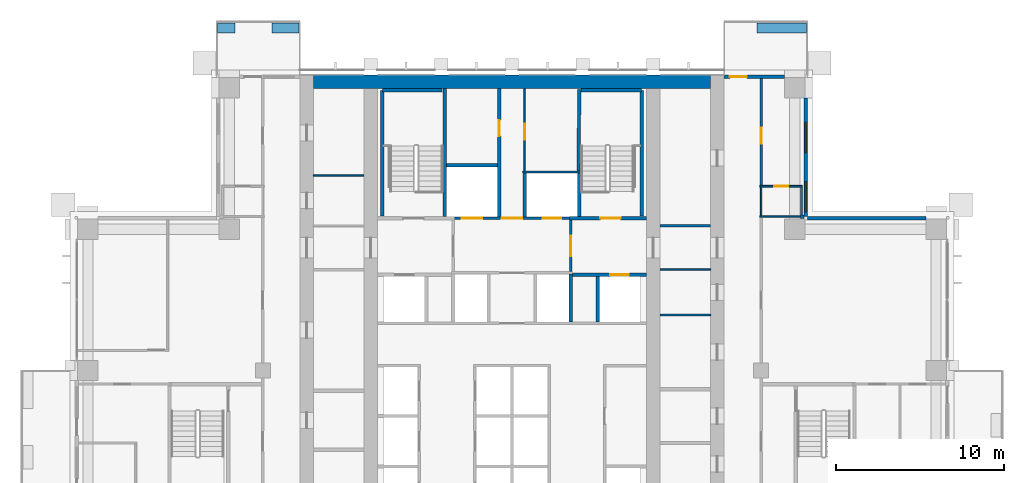
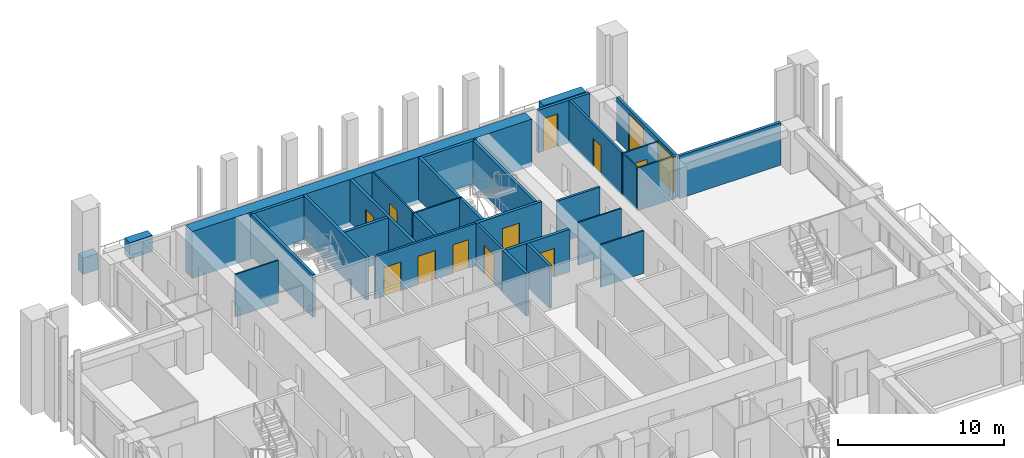
# One storey, part 13 of 19: 35 walls, 11 doors, 2 windows, 13 openings.
"""IFC4 building model written with IfcOpenShell, lengths in metres."""

from ifc_helpers import new_model, si_unit, direction, frame, frame_2d, origin, place, context, subcontext, project, spatial, rectangle, extrude, material, layer, layer_set, type_object, element, fill, save


model = new_model("IFC4")

# Units and contexts
model_context = context("Model", 3, precision=1e-05, world=origin(), true_north=direction((0.0, 1.0)))
body_context = subcontext(model_context, "Body", "Model", "MODEL_VIEW")
ifc_project = project(units=[si_unit("LENGTHUNIT", "METRE"), si_unit("AREAUNIT", "SQUARE_METRE"), si_unit("VOLUMEUNIT", "CUBIC_METRE"), si_unit("PLANEANGLEUNIT", "RADIAN"), si_unit("MASSUNIT", "GRAM", prefix="KILO")], contexts=[model_context])

# Site, building, storey
site_placement = place(None, origin())
site = spatial("IfcSite", under=ifc_project, at=site_placement, CompositionType="ELEMENT")
building_placement = place(site_placement, origin())
building = spatial("IfcBuilding", under=site, at=building_placement, Name="Vermilion Ogive Tower", CompositionType="ELEMENT")
storey_placement = place(building_placement, frame((0.0, 0.0, 104.550048828125)))
storey = spatial("IfcBuildingStorey", under=building, at=storey_placement, Name="L26", CompositionType="ELEMENT", Elevation=104.550048828125)

# Walls
ifc_material_1 = material(Name="Concrete B80", Category="concrete")
ifc_layer_1 = layer(ifc_material_1, 0.800048828125)
ifc_layer_set_1 = layer_set([ifc_layer_1], Name="Core wall 800 B80")
wall_type_1 = type_object("IfcWallType", Name="Core wall 800 B80", PredefinedType="SHEAR", material=ifc_layer_set_1)
wall_1_placement = place(storey_placement, frame((-11.800048828125, 21.35009765625, -0.320068359375), z_axis=(0.0, 0.0, 1.0), x_axis=(1.0, 0.0, 0.0)))
element("IfcWall", 1, at=wall_1_placement, inside=storey, type_object=wall_type_1, Name="L26-CORE-N", PredefinedType="SHEAR", context=body_context, shape_type="SweptSolid", body=[
    extrude(rectangle(XDim=23.60009765625, YDim=0.800048828125, at=frame_2d((11.800048828125, 0.0))), origin(), (0.0, 0.0, 1.0), 3.449951171875),
])
ifc_material_2 = material(Name="Gypsum board partition on steel studs", Category="steel")
ifc_layer_2 = layer(ifc_material_2, 0.10009765625)
ifc_layer_set_2 = layer_set([ifc_layer_2], Name="Partition 100 bath")
wall_type_2 = type_object("IfcWallType", Name="Partition 100 bath", PredefinedType="PARTITIONING", material=ifc_layer_set_2)
wall_2_placement = place(storey_placement, frame((14.72509765625, 13.35009765625, 0.0), z_axis=(0.0, 0.0, 1.0), x_axis=(1.0, 0.0, 0.0)))
element("IfcWall", 2, at=wall_2_placement, inside=storey, type_object=wall_type_2, Name="L26-W-W031", PredefinedType="PARTITIONING", context=body_context, shape_type="SweptSolid", body=[
    extrude(rectangle(XDim=2.52490234375, YDim=0.10009765625, at=frame_2d((1.262451171875, 0.0))), origin(), (0.0, 0.0, 1.0), 3.1298828125),
])

# Wall, opening, door
wall_3_placement = place(storey_placement, frame((14.72509765625, 15.14990234375, 0.0), z_axis=(0.0, 0.0, 1.0), x_axis=(1.0, 0.0, 0.0)))
wall_3 = element("IfcWall", 3, at=wall_3_placement, inside=storey, type_object=wall_type_2, Name="L26-W-W034", PredefinedType="PARTITIONING", context=body_context, shape_type="SweptSolid", body=[
    extrude(rectangle(XDim=2.52490234375, YDim=0.10009765625, at=frame_2d((1.262451171875, 0.0))), origin(), (0.0, 0.0, 1.0), 3.1298828125),
])
opening_1_placement = place(wall_3_placement, frame((0.849853515625, 0.0, 0.0)))
opening_1 = element("IfcOpeningElement", 4, at=opening_1_placement, cuts=wall_3, Name="Opening D2G4020", PredefinedType="OPENING", context=body_context, shape_type="SweptSolid", body=[
    extrude(rectangle(XDim=0.85009765625, YDim=2.10009765625, at=frame_2d((0.425048828125, 1.050048828125))), frame((0.0, 0.06005859375, 0.0), z_axis=(0.0, -1.0, 0.0), x_axis=(1.0, 0.0, 0.0)), (0.0, 0.0, 1.0), 0.1201171875),
])
ifc_material_3 = material(Name="Timber door leaf", Category="wood")
door_type_1 = type_object("IfcDoorType", Name="Bath door 850 x 2100 FD30", OperationType="SINGLE_SWING_LEFT", PredefinedType="DOOR", material=ifc_material_3)
door_1_placement = place(opening_1_placement, origin())
door_1 = element("IfcDoor", 5, at=door_1_placement, inside=storey, type_object=door_type_1, Name="L26-D-D020", OperationType="SINGLE_SWING_RIGHT", OverallHeight=2.10009765625, OverallWidth=0.85009765625, PredefinedType="DOOR", context=body_context, shape_type="SweptSolid", body=[
    extrude(rectangle(XDim=0.85009765625, YDim=2.10009765625, at=frame_2d((0.425048828125, 1.050048828125))), frame((0.0, 0.02490234375, 0.0), z_axis=(0.0, -1.0, 0.0), x_axis=(1.0, 0.0, 0.0)), (0.0, 0.0, 1.0), 0.050048828125),
])
fill(opening_1, door_1)

# Walls
wall_4_placement = place(storey_placement, frame((14.800048828125, 13.39990234375, 0.0), z_axis=(0.0, 0.0, 1.0), x_axis=(0.0, 1.0, 0.0)))
element("IfcWall", 6, at=wall_4_placement, inside=storey, type_object=wall_type_2, Name="L26-W-W056", PredefinedType="PARTITIONING", context=body_context, shape_type="SweptSolid", body=[
    extrude(rectangle(XDim=1.7001953125, YDim=0.10009765625, at=frame_2d((0.85009765625, 0.0))), origin(), (0.0, 0.0, 1.0), 3.1298828125),
])
wall_5_placement = place(storey_placement, frame((17.199951171875, 13.449951171875, 0.0), z_axis=(0.0, 0.0, 1.0), x_axis=(0.0, 1.0, 0.0)))
element("IfcWall", 7, at=wall_5_placement, inside=storey, type_object=wall_type_2, Name="L26-W-W060", PredefinedType="PARTITIONING", context=body_context, shape_type="SweptSolid", body=[
    extrude(rectangle(XDim=1.650146484375, YDim=0.10009765625, at=frame_2d((0.8251953125, 0.0))), origin(), (0.0, 0.0, 1.0), 3.1298828125),
])
wall_6_placement = place(storey_placement, frame((0.64990234375, 16.0, 0.0), z_axis=(0.0, 0.0, 1.0), x_axis=(1.0, 0.0, 0.0)))
element("IfcWall", 8, at=wall_6_placement, inside=storey, type_object=wall_type_2, Name="L26-CK-W-W019", PredefinedType="PARTITIONING", context=body_context, shape_type="SweptSolid", body=[
    extrude(rectangle(XDim=3.4501953125, YDim=0.10009765625, at=frame_2d((1.72509765625, 0.0))), origin(), (0.0, 0.0, 1.0), 3.1298828125),
])

# Wall, opening, door
wall_7_placement = place(storey_placement, frame((0.75, 16.050048828125, 0.0), z_axis=(0.0, 0.0, 1.0), x_axis=(0.0, 1.0, 0.0)))
wall_7 = element("IfcWall", 9, at=wall_7_placement, inside=storey, type_object=wall_type_2, Name="L26-CK-W-W031", PredefinedType="PARTITIONING", context=body_context, shape_type="SweptSolid", body=[
    extrude(rectangle(XDim=4.89892578125, YDim=0.10009765625, at=frame_2d((2.449462890625, 0.0))), origin(), (0.0, 0.0, 1.0), 3.1298828125),
])
opening_2_placement = place(wall_7_placement, frame((1.875, 0.0, 0.0)))
opening_2 = element("IfcOpeningElement", 10, at=opening_2_placement, cuts=wall_7, Name="Opening DAA215", PredefinedType="OPENING", context=body_context, shape_type="SweptSolid", body=[
    extrude(rectangle(XDim=0.949951171875, YDim=2.10009765625, at=frame_2d((0.47509765625, 1.050048828125))), frame((0.0, 0.06005859375, 0.0), z_axis=(0.0, -1.0, 0.0), x_axis=(1.0, 0.0, 0.0)), (0.0, 0.0, 1.0), 0.1201171875),
])
ifc_material_4 = material(Name="Timber door leaf", Category="wood")
door_type_2 = type_object("IfcDoorType", Name="Service door 950 x 2100 FD60", OperationType="SINGLE_SWING_LEFT", PredefinedType="DOOR", material=ifc_material_4)
door_2_placement = place(opening_2_placement, origin())
door_2 = element("IfcDoor", 11, at=door_2_placement, inside=storey, type_object=door_type_2, Name="L26-CK-D-D020", OperationType="SINGLE_SWING_LEFT", OverallHeight=2.10009765625, OverallWidth=0.949951171875, PredefinedType="DOOR", context=body_context, shape_type="SweptSolid", body=[
    extrude(rectangle(XDim=0.949951171875, YDim=2.10009765625, at=frame_2d((0.47509765625, 1.050048828125))), frame((0.0, 0.02490234375, 0.0), z_axis=(0.0, -1.0, 0.0), x_axis=(1.0, 0.0, 0.0)), (0.0, 0.0, 1.0), 0.050048828125),
])
fill(opening_2, door_2)

# Walls
for number, where, z_axis, x_axis, name in (
    (12, (-11.799072265625, 15.800048828125, 0.0), (0.0, 0.0, 1.0), (1.0, 0.0, 0.0), "L26-CKW-W-W005"),
    (13, (8.801025390625, 7.5, 0.0), (0.0, 0.0, 1.0), (1.0, 0.0, 0.0), "L26-CKE-W-W004"),
    (14, (8.801025390625, 10.199951171875, 0.0), (0.0, 0.0, 1.0), (1.0, 0.0, 0.0), "L26-CKE-W-W005"),
):
    element("IfcWall", number, at=place(storey_placement, frame(where, z_axis=z_axis, x_axis=x_axis)), inside=storey, type_object=wall_type_2, Name=name, PredefinedType="PARTITIONING", context=body_context, shape_type="SweptSolid", body=[
        extrude(rectangle(XDim=2.998046875, YDim=0.10009765625, at=frame_2d((1.4990234375, 0.0))), origin(), (0.0, 0.0, 1.0), 3.1298828125),
    ])

# Wall, opening, door
ifc_material_5 = material(Name="Gypsum board partition on steel studs", Category="steel")
ifc_layer_3 = layer(ifc_material_5, 0.14990234375)
ifc_layer_set_3 = layer_set([ifc_layer_3], Name="Partition 150 corridor")
wall_type_3 = type_object("IfcWallType", Name="Partition 150 corridor", PredefinedType="PARTITIONING", material=ifc_layer_set_3)
wall_8_placement = place(storey_placement, frame((14.800048828125, 15.199951171875, 0.0), z_axis=(0.0, 0.0, 1.0), x_axis=(0.0, 1.0, 0.0)))
wall_8 = element("IfcWall", 15, at=wall_8_placement, inside=storey, type_object=wall_type_3, Name="L26-W-W057", PredefinedType="PARTITIONING", context=body_context, shape_type="SweptSolid", body=[
    extrude(rectangle(XDim=6.35009765625, YDim=0.14990234375, at=frame_2d((3.175048828125, 0.0))), origin(), (0.0, 0.0, 1.0), 3.1298828125),
])
opening_3_placement = place(wall_8_placement, frame((2.47509765625, 0.0, 0.0)))
opening_3 = element("IfcOpeningElement", 16, at=opening_3_placement, cuts=wall_8, Name="Opening D2G4019", PredefinedType="OPENING", context=body_context, shape_type="SweptSolid", body=[
    extrude(rectangle(XDim=0.949951171875, YDim=2.10009765625, at=frame_2d((0.47509765625, 1.050048828125))), frame((0.0, 0.0849609375, 0.0), z_axis=(0.0, -1.0, 0.0), x_axis=(1.0, 0.0, 0.0)), (0.0, 0.0, 1.0), 0.169921875),
])
ifc_material_6 = material(Name="Timber door leaf", Category="wood")
door_type_3 = type_object("IfcDoorType", Name="Unit door 950 x 2100 FD30S", OperationType="SINGLE_SWING_LEFT", PredefinedType="DOOR", material=ifc_material_6)
door_3_placement = place(opening_3_placement, origin())
door_3 = element("IfcDoor", 17, at=door_3_placement, inside=storey, type_object=door_type_3, Name="L26-D-D019", OperationType="SINGLE_SWING_LEFT", OverallHeight=2.10009765625, OverallWidth=0.949951171875, PredefinedType="DOOR", context=body_context, shape_type="SweptSolid", body=[
    extrude(rectangle(XDim=0.949951171875, YDim=2.10009765625, at=frame_2d((0.47509765625, 1.050048828125))), frame((0.0, 0.02490234375, 0.0), z_axis=(0.0, -1.0, 0.0), x_axis=(1.0, 0.0, 0.0)), (0.0, 0.0, 1.0), 0.050048828125),
])
fill(opening_3, door_3)

# Wall, openings, doors
wall_9_placement = place(storey_placement, frame((-3.574951171875, 13.25, 0.0), z_axis=(0.0, 0.0, 1.0), x_axis=(1.0, 0.0, 0.0)))
wall_9 = element("IfcWall", 18, at=wall_9_placement, inside=storey, type_object=wall_type_3, Name="L26-CK-W-W017", PredefinedType="PARTITIONING", context=body_context, shape_type="SweptSolid", body=[
    extrude(rectangle(XDim=7.14990234375, YDim=0.14990234375, at=frame_2d((3.574951171875, 0.0))), origin(), (0.0, 0.0, 1.0), 3.1298828125),
])
opening_4_placement = place(wall_9_placement, frame((0.599853515625, 0.0, 0.0)))
opening_4 = element("IfcOpeningElement", 19, at=opening_4_placement, cuts=wall_9, Name="Opening DAA229", PredefinedType="OPENING", context=body_context, shape_type="SweptSolid", body=[
    extrude(rectangle(XDim=1.199951171875, YDim=2.10009765625, at=frame_2d((0.60009765625, 1.050048828125))), frame((0.0, 0.0849609375, 0.0), z_axis=(0.0, -1.0, 0.0), x_axis=(1.0, 0.0, 0.0)), (0.0, 0.0, 1.0), 0.169921875),
])
opening_5_placement = place(wall_9_placement, frame((5.39990234375, 0.0, 0.0)))
opening_5 = element("IfcOpeningElement", 20, at=opening_5_placement, cuts=wall_9, Name="Opening DAA220", PredefinedType="OPENING", context=body_context, shape_type="SweptSolid", body=[
    extrude(rectangle(XDim=1.10009765625, YDim=2.10009765625, at=frame_2d((0.550048828125, 1.050048828125))), frame((0.0, 0.0849609375, 0.0), z_axis=(0.0, -1.0, 0.0), x_axis=(1.0, 0.0, 0.0)), (0.0, 0.0, 1.0), 0.169921875),
])
opening_6_placement = place(wall_9_placement, frame((2.974853515625, 0.0, 0.0)))
opening_6 = element("IfcOpeningElement", 21, at=opening_6_placement, cuts=wall_9, Name="Opening DAA212", PredefinedType="OPENING", context=body_context, shape_type="SweptSolid", body=[
    extrude(rectangle(XDim=1.199951171875, YDim=2.10009765625, at=frame_2d((0.60009765625, 1.050048828125))), frame((0.0, 0.0849609375, 0.0), z_axis=(0.0, -1.0, 0.0), x_axis=(1.0, 0.0, 0.0)), (0.0, 0.0, 1.0), 0.169921875),
])
ifc_material_7 = material(Name="Stainless steel", Category="steel")
door_type_4 = type_object("IfcDoorType", Name="Lift landing door 1100 x 2100", OperationType="SLIDING_TO_LEFT", PredefinedType="DOOR", material=ifc_material_7)
door_4_placement = place(opening_5_placement, origin())
door_4 = element("IfcDoor", 22, at=door_4_placement, inside=storey, type_object=door_type_4, Name="L26-CK-D-D017", OperationType="SLIDING_TO_LEFT", OverallHeight=2.10009765625, OverallWidth=1.10009765625, PredefinedType="DOOR", context=body_context, shape_type="SweptSolid", body=[
    extrude(rectangle(XDim=1.10009765625, YDim=2.10009765625, at=frame_2d((0.550048828125, 1.050048828125))), frame((0.0, 0.02490234375, 0.0), z_axis=(0.0, -1.0, 0.0), x_axis=(1.0, 0.0, 0.0)), (0.0, 0.0, 1.0), 0.050048828125),
])
fill(opening_5, door_4)
ifc_material_8 = material(Name="Stainless steel", Category="steel")
door_type_5 = type_object("IfcDoorType", Name="Lift landing door 1200 x 2100", OperationType="SLIDING_TO_LEFT", PredefinedType="DOOR", material=ifc_material_8)
door_5_placement = place(opening_4_placement, origin())
door_5 = element("IfcDoor", 23, at=door_5_placement, inside=storey, type_object=door_type_5, Name="L26-CK-D-D016", OperationType="SLIDING_TO_RIGHT", OverallHeight=2.10009765625, OverallWidth=1.199951171875, PredefinedType="DOOR", context=body_context, shape_type="SweptSolid", body=[
    extrude(rectangle(XDim=1.199951171875, YDim=2.10009765625, at=frame_2d((0.60009765625, 1.050048828125))), frame((0.0, 0.02490234375, 0.0), z_axis=(0.0, -1.0, 0.0), x_axis=(1.0, 0.0, 0.0)), (0.0, 0.0, 1.0), 0.050048828125),
])
fill(opening_4, door_5)
ifc_material_9 = material(Name="Timber door leaf", Category="wood")
door_type_6 = type_object("IfcDoorType", Name="Service door 1200 x 2100 FD60", OperationType="SINGLE_SWING_LEFT", PredefinedType="DOOR", material=ifc_material_9)
door_6_placement = place(opening_6_placement, origin())
door_6 = element("IfcDoor", 24, at=door_6_placement, inside=storey, type_object=door_type_6, Name="L26-CK-D-D018", OperationType="SINGLE_SWING_RIGHT", OverallHeight=2.10009765625, OverallWidth=1.199951171875, PredefinedType="DOOR", context=body_context, shape_type="SweptSolid", body=[
    extrude(rectangle(XDim=1.199951171875, YDim=2.10009765625, at=frame_2d((0.60009765625, 1.050048828125))), frame((0.0, 0.02490234375, 0.0), z_axis=(0.0, -1.0, 0.0), x_axis=(1.0, 0.0, 0.0)), (0.0, 0.0, 1.0), 0.050048828125),
])
fill(opening_6, door_6)

# Wall, opening, door
wall_10_placement = place(storey_placement, frame((3.5, 10.074951171875, 0.0), z_axis=(0.0, 0.0, 1.0), x_axis=(0.0, 1.0, 0.0)))
wall_10 = element("IfcWall", 25, at=wall_10_placement, inside=storey, type_object=wall_type_3, Name="L26-CK-W-W035", PredefinedType="PARTITIONING", context=body_context, shape_type="SweptSolid", body=[
    extrude(rectangle(XDim=3.074951171875, YDim=0.14990234375, at=frame_2d((1.53759765625, 0.0))), origin(), (0.0, 0.0, 1.0), 3.1298828125),
])
opening_7_placement = place(wall_10_placement, frame((0.925048828125, 0.0, 0.0)))
opening_7 = element("IfcOpeningElement", 26, at=opening_7_placement, cuts=wall_10, Name="Opening DAA209", PredefinedType="OPENING", context=body_context, shape_type="SweptSolid", body=[
    extrude(rectangle(XDim=1.199951171875, YDim=2.10009765625, at=frame_2d((0.60009765625, 1.050048828125))), frame((0.0, 0.0849609375, 0.0), z_axis=(0.0, -1.0, 0.0), x_axis=(1.0, 0.0, 0.0)), (0.0, 0.0, 1.0), 0.169921875),
])
ifc_material_10 = material(Name="Timber door leaf", Category="wood")
door_type_7 = type_object("IfcDoorType", Name="Lobby door 1200 x 2100 FD60S", OperationType="SINGLE_SWING_LEFT", PredefinedType="DOOR", material=ifc_material_10)
door_7_placement = place(opening_7_placement, origin())
door_7 = element("IfcDoor", 27, at=door_7_placement, inside=storey, type_object=door_type_7, Name="L26-CK-D-D022", OperationType="SINGLE_SWING_LEFT", OverallHeight=2.10009765625, OverallWidth=1.199951171875, PredefinedType="DOOR", context=body_context, shape_type="SweptSolid", body=[
    extrude(rectangle(XDim=1.199951171875, YDim=2.10009765625, at=frame_2d((0.60009765625, 1.050048828125))), frame((0.0, 0.02490234375, 0.0), z_axis=(0.0, -1.0, 0.0), x_axis=(1.0, 0.0, 0.0)), (0.0, 0.0, 1.0), 0.050048828125),
])
fill(opening_7, door_7)

# Walls
wall_11_placement = place(storey_placement, frame((8.801025390625, 12.800048828125, 0.0), z_axis=(0.0, 0.0, 1.0), x_axis=(1.0, 0.0, 0.0)))
element("IfcWall", 28, at=wall_11_placement, inside=storey, type_object=wall_type_3, Name="L26-CKE-W-W006", PredefinedType="PARTITIONING", context=body_context, shape_type="SweptSolid", body=[
    extrude(rectangle(XDim=2.998046875, YDim=0.14990234375, at=frame_2d((1.4990234375, 0.0))), origin(), (0.0, 0.0, 1.0), 3.1298828125),
])
ifc_material_11 = material(Name="Gypsum board partition on steel studs", Category="steel")
ifc_layer_4 = layer(ifc_material_11, 0.199951171875)
ifc_layer_set_4 = layer_set([ifc_layer_4], Name="Partition 200 party")
wall_type_4 = type_object("IfcWallType", Name="Partition 200 party", PredefinedType="PARTITIONING", material=ifc_layer_set_4)
wall_12_placement = place(storey_placement, frame((17.14990234375, 13.35009765625, 0.0), z_axis=(0.0, 0.0, 1.0), x_axis=(1.0, 0.0, 0.0)))
element("IfcWall", 29, at=wall_12_placement, inside=storey, type_object=wall_type_4, Name="L26-W-W032", PredefinedType="PARTITIONING", context=body_context, shape_type="SweptSolid", body=[
    extrude(rectangle(XDim=0.2001953125, YDim=0.199951171875, at=frame_2d((0.10009765625, 0.0))), origin(), (0.0, 0.0, 1.0), 3.1298828125),
])

# Wall, opening, door
wall_13_placement = place(storey_placement, frame((3.60009765625, 9.89990234375, 0.0), z_axis=(0.0, 0.0, 1.0), x_axis=(1.0, 0.0, 0.0)))
wall_13 = element("IfcWall", 30, at=wall_13_placement, inside=storey, type_object=wall_type_4, Name="L26-CK-W-W014", PredefinedType="PARTITIONING", context=body_context, shape_type="SweptSolid", body=[
    extrude(rectangle(XDim=4.39892578125, YDim=0.199951171875, at=frame_2d((2.199462890625, 0.0))), origin(), (0.0, 0.0, 1.0), 3.1298828125),
])
opening_8_placement = place(wall_13_placement, frame((2.25, 0.0, 0.0)))
opening_8 = element("IfcOpeningElement", 31, at=opening_8_placement, cuts=wall_13, Name="Opening DAA219", PredefinedType="OPENING", context=body_context, shape_type="SweptSolid", body=[
    extrude(rectangle(XDim=1.10009765625, YDim=2.10009765625, at=frame_2d((0.550048828125, 1.050048828125))), frame((0.0, 0.10986328125, 0.0), z_axis=(0.0, -1.0, 0.0), x_axis=(1.0, 0.0, 0.0)), (0.0, 0.0, 1.0), 0.219970703125),
])
door_8_placement = place(opening_8_placement, origin())
door_8 = element("IfcDoor", 32, at=door_8_placement, inside=storey, type_object=door_type_4, Name="L26-CK-D-D013", OperationType="SLIDING_TO_LEFT", OverallHeight=2.10009765625, OverallWidth=1.10009765625, PredefinedType="DOOR", context=body_context, shape_type="SweptSolid", body=[
    extrude(rectangle(XDim=1.10009765625, YDim=2.10009765625, at=frame_2d((0.550048828125, 1.050048828125))), frame((0.0, 0.02490234375, 0.0), z_axis=(0.0, -1.0, 0.0), x_axis=(1.0, 0.0, 0.0)), (0.0, 0.0, 1.0), 0.050048828125),
])
fill(opening_8, door_8)

# Wall
wall_14_placement = place(storey_placement, frame((-3.89990234375, 16.39990234375, 0.0), z_axis=(0.0, 0.0, 1.0), x_axis=(1.0, 0.0, 0.0)))
element("IfcWall", 33, at=wall_14_placement, inside=storey, type_object=wall_type_4, Name="L26-CK-W-W020", PredefinedType="PARTITIONING", context=body_context, shape_type="SweptSolid", body=[
    extrude(rectangle(XDim=3.0498046875, YDim=0.199951171875, at=frame_2d((1.52490234375, 0.0))), origin(), (0.0, 0.0, 1.0), 3.1298828125),
])

# Wall, opening, door
wall_15_placement = place(storey_placement, frame((-0.75, 13.324951171875, 0.0), z_axis=(0.0, 0.0, 1.0), x_axis=(0.0, 1.0, 0.0)))
wall_15 = element("IfcWall", 34, at=wall_15_placement, inside=storey, type_object=wall_type_4, Name="L26-CK-W-W028", PredefinedType="PARTITIONING", context=body_context, shape_type="SweptSolid", body=[
    extrude(rectangle(XDim=7.6240234375, YDim=0.199951171875, at=frame_2d((3.81201171875, 0.0))), origin(), (0.0, 0.0, 1.0), 3.1298828125),
])
opening_9_placement = place(wall_15_placement, frame((4.800048828125, 0.0, 0.0)))
opening_9 = element("IfcOpeningElement", 35, at=opening_9_placement, cuts=wall_15, Name="Opening DAA214", PredefinedType="OPENING", context=body_context, shape_type="SweptSolid", body=[
    extrude(rectangle(XDim=0.949951171875, YDim=2.10009765625, at=frame_2d((0.47509765625, 1.050048828125))), frame((0.0, 0.10986328125, 0.0), z_axis=(0.0, -1.0, 0.0), x_axis=(1.0, 0.0, 0.0)), (0.0, 0.0, 1.0), 0.219970703125),
])
door_9_placement = place(opening_9_placement, origin())
door_9 = element("IfcDoor", 36, at=door_9_placement, inside=storey, type_object=door_type_2, Name="L26-CK-D-D019", OperationType="SINGLE_SWING_RIGHT", OverallHeight=2.10009765625, OverallWidth=0.949951171875, PredefinedType="DOOR", context=body_context, shape_type="SweptSolid", body=[
    extrude(rectangle(XDim=0.949951171875, YDim=2.10009765625, at=frame_2d((0.47509765625, 1.050048828125))), frame((0.0, 0.02490234375, 0.0), z_axis=(0.0, -1.0, 0.0), x_axis=(1.0, 0.0, 0.0)), (0.0, 0.0, 1.0), 0.050048828125),
])
fill(opening_9, door_9)

# Walls
wall_16_placement = place(storey_placement, frame((0.75, 13.324951171875, 0.0), z_axis=(0.0, 0.0, 1.0), x_axis=(0.0, 1.0, 0.0)))
element("IfcWall", 37, at=wall_16_placement, inside=storey, type_object=wall_type_4, Name="L26-CK-W-W030", PredefinedType="PARTITIONING", context=body_context, shape_type="SweptSolid", body=[
    extrude(rectangle(XDim=2.625, YDim=0.199951171875, at=frame_2d((1.3125, 0.0))), origin(), (0.0, 0.0, 1.0), 3.1298828125),
])
wall_17_placement = place(storey_placement, frame((3.5, 7.074951171875, 0.0), z_axis=(0.0, 0.0, 1.0), x_axis=(0.0, 1.0, 0.0)))
element("IfcWall", 38, at=wall_17_placement, inside=storey, type_object=wall_type_4, Name="L26-CK-W-W034", PredefinedType="PARTITIONING", context=body_context, shape_type="SweptSolid", body=[
    extrude(rectangle(XDim=2.85009765625, YDim=0.199951171875, at=frame_2d((1.425048828125, 0.0))), origin(), (0.0, 0.0, 1.0), 3.1298828125),
])
wall_18_placement = place(storey_placement, frame((5.10009765625, 7.074951171875, 0.0), z_axis=(0.0, 0.0, 1.0), x_axis=(0.0, 1.0, 0.0)))
element("IfcWall", 39, at=wall_18_placement, inside=storey, type_object=wall_type_4, Name="L26-CK-W-W038", PredefinedType="PARTITIONING", context=body_context, shape_type="SweptSolid", body=[
    extrude(rectangle(XDim=2.72509765625, YDim=0.199951171875, at=frame_2d((1.362548828125, 0.0))), origin(), (0.0, 0.0, 1.0), 3.1298828125),
])

# Wall, opening, door
ifc_material_12 = material(Name="Concrete B60", Category="concrete")
ifc_layer_5 = layer(ifc_material_12, 0.199951171875)
ifc_layer_set_5 = layer_set([ifc_layer_5], Name="Stair shaft wall 200 Concrete B60")
wall_type_5 = type_object("IfcWallType", Name="Stair shaft wall 200 Concrete B60", PredefinedType="SOLIDWALL", material=ifc_layer_set_5)
wall_19_placement = place(storey_placement, frame((3.425048828125, 13.25, 0.0), z_axis=(0.0, 0.0, 1.0), x_axis=(1.0, 0.0, 0.0)))
wall_19 = element("IfcWall", 40, at=wall_19_placement, inside=storey, type_object=wall_type_5, Name="L26-CK-W-W018", PredefinedType="SOLIDWALL", context=body_context, shape_type="SweptSolid", body=[
    extrude(rectangle(XDim=4.573974609375, YDim=0.199951171875, at=frame_2d((2.287109375, 0.0))), origin(), (0.0, 0.0, 1.0), 3.1298828125),
])
opening_10_placement = place(wall_19_placement, frame((1.824951171875, 0.0, 0.0)))
opening_10 = element("IfcOpeningElement", 41, at=opening_10_placement, cuts=wall_19, Name="Opening DAA217", PredefinedType="OPENING", context=body_context, shape_type="SweptSolid", body=[
    extrude(rectangle(XDim=1.199951171875, YDim=2.10009765625, at=frame_2d((0.60009765625, 1.050048828125))), frame((0.0, 0.10986328125, 0.0), z_axis=(0.0, -1.0, 0.0), x_axis=(1.0, 0.0, 0.0)), (0.0, 0.0, 1.0), 0.219970703125),
])
ifc_material_13 = material(Name="Timber door leaf", Category="wood")
door_type_8 = type_object("IfcDoorType", Name="Stair door 1200 x 2100 FD60S", OperationType="SINGLE_SWING_LEFT", PredefinedType="DOOR", material=ifc_material_13)
door_10_placement = place(opening_10_placement, origin())
door_10 = element("IfcDoor", 42, at=door_10_placement, inside=storey, type_object=door_type_8, Name="L26-CK-D-D012", OperationType="SINGLE_SWING_RIGHT", OverallHeight=2.10009765625, OverallWidth=1.199951171875, PredefinedType="DOOR", context=body_context, shape_type="SweptSolid", body=[
    extrude(rectangle(XDim=1.199951171875, YDim=2.10009765625, at=frame_2d((0.60009765625, 1.050048828125))), frame((0.0, 0.02490234375, 0.0), z_axis=(0.0, -1.0, 0.0), x_axis=(1.0, 0.0, 0.0)), (0.0, 0.0, 1.0), 0.050048828125),
])
fill(opening_10, door_10)

# Walls
wall_20_placement = place(storey_placement, frame((-4.0, 13.35009765625, 0.0), z_axis=(0.0, 0.0, 1.0), x_axis=(0.0, 1.0, 0.0)))
element("IfcWall", 43, at=wall_20_placement, inside=storey, type_object=wall_type_5, Name="L26-CK-W-W023", PredefinedType="SOLIDWALL", context=body_context, shape_type="SweptSolid", body=[
    extrude(rectangle(XDim=7.598876953125, YDim=0.199951171875, at=frame_2d((3.79931640625, 0.0))), origin(), (0.0, 0.0, 1.0), 3.1298828125),
])
wall_21_placement = place(storey_placement, frame((4.0, 13.35009765625, 0.0), z_axis=(0.0, 0.0, 1.0), x_axis=(0.0, 1.0, 0.0)))
element("IfcWall", 44, at=wall_21_placement, inside=storey, type_object=wall_type_5, Name="L26-CK-W-W036", PredefinedType="SOLIDWALL", context=body_context, shape_type="SweptSolid", body=[
    extrude(rectangle(XDim=2.599853515625, YDim=0.199951171875, at=frame_2d((1.2998046875, 0.0))), origin(), (0.0, 0.0, 1.0), 3.1298828125),
])
wall_22_placement = place(storey_placement, frame((3.949951171875, 16.050048828125, 0.0), z_axis=(0.0, 0.0, 1.0), x_axis=(0.01032118628, 0.999946735138, 0.0)))
element("IfcWall", 45, at=wall_22_placement, inside=storey, type_object=wall_type_5, Name="L26-CK-W-W037", PredefinedType="SOLIDWALL", context=body_context, shape_type="SweptSolid", body=[
    extrude(rectangle(XDim=4.84912109375, YDim=0.199951171875, at=frame_2d((2.424560546875, 0.0))), origin(), (0.0, 0.0, 1.0), 3.1298828125),
])
wall_23_placement = place(storey_placement, frame((-7.699951171875, 13.39990234375, 0.0), z_axis=(0.0, 0.0, 1.0), x_axis=(0.0, 1.0, 0.0)))
element("IfcWall", 46, at=wall_23_placement, inside=storey, type_object=wall_type_5, Name="L26-SW-R022-W1", PredefinedType="SOLIDWALL", context=body_context, shape_type="SweptSolid", body=[
    extrude(rectangle(XDim=7.4501953125, YDim=0.199951171875, at=frame_2d((3.72509765625, 0.0))), origin(), (0.0, 0.0, 1.0), 3.1298828125),
])
wall_24_placement = place(storey_placement, frame((-7.699951171875, 20.85009765625, 0.0), z_axis=(0.0, 0.0, 1.0), x_axis=(1.0, 0.0, 0.0)))
element("IfcWall", 47, at=wall_24_placement, inside=storey, type_object=wall_type_5, Name="L26-SW-R022-N1", PredefinedType="SOLIDWALL", context=body_context, shape_type="SweptSolid", body=[
    extrude(rectangle(XDim=3.550048828125, YDim=0.199951171875, at=frame_2d((1.77490234375, 0.0))), origin(), (0.0, 0.0, 1.0), 3.1298828125),
])
wall_25_placement = place(storey_placement, frame((7.699951171875, 13.39990234375, 0.0), z_axis=(0.0, 0.0, 1.0), x_axis=(0.0, 1.0, 0.0)))
element("IfcWall", 48, at=wall_25_placement, inside=storey, type_object=wall_type_5, Name="L26-SW-R026-E1", PredefinedType="SOLIDWALL", context=body_context, shape_type="SweptSolid", body=[
    extrude(rectangle(XDim=7.4501953125, YDim=0.199951171875, at=frame_2d((3.72509765625, 0.0))), origin(), (0.0, 0.0, 1.0), 3.1298828125),
])
wall_26_placement = place(storey_placement, frame((4.10009765625, 20.85009765625, 0.0), z_axis=(0.0, 0.0, 1.0), x_axis=(1.0, 0.0, 0.0)))
element("IfcWall", 49, at=wall_26_placement, inside=storey, type_object=wall_type_5, Name="L26-SW-R026-N1", PredefinedType="SOLIDWALL", context=body_context, shape_type="SweptSolid", body=[
    extrude(rectangle(XDim=3.599853515625, YDim=0.199951171875, at=frame_2d((1.7998046875, 0.0))), origin(), (0.0, 0.0, 1.0), 3.1298828125),
])
ifc_material_14 = material(Name="Concrete B40", Category="concrete")
ifc_layer_6 = layer(ifc_material_14, 0.60009765625)
ifc_layer_set_6 = layer_set([ifc_layer_6], Name="Structural planter")
wall_type_6 = type_object("IfcWallType", Name="Structural planter", PredefinedType="USERDEFINED", material=ifc_layer_set_6)
wall_27_placement = place(storey_placement, frame((17.489990234375, 24.550048828125, -0.0400390625), z_axis=(0.0, 0.0, 1.0), x_axis=(-1.0, 0.0, 0.0)))
element("IfcWall", 50, at=wall_27_placement, inside=storey, type_object=wall_type_6, Name="Planter N101A1", ObjectType="PLANTER", PredefinedType="USERDEFINED", context=body_context, shape_type="SweptSolid", body=[
    extrude(rectangle(XDim=2.93994140625, YDim=0.60009765625, at=frame_2d((1.469970703125, 0.0))), origin(), (0.0, 0.0, 1.0), 1.199951171875),
])
wall_28_placement = place(storey_placement, frame((-12.659912109375, 24.550048828125, -0.0400390625), z_axis=(0.0, 0.0, 1.0), x_axis=(-1.0, 0.0, 0.0)))
element("IfcWall", 51, at=wall_28_placement, inside=storey, type_object=wall_type_6, Name="Planter N201A1", ObjectType="PLANTER", PredefinedType="USERDEFINED", context=body_context, shape_type="SweptSolid", body=[
    extrude(rectangle(XDim=1.590087890625, YDim=0.60009765625, at=frame_2d((0.794921875, 0.0))), origin(), (0.0, 0.0, 1.0), 1.199951171875),
])
wall_29_placement = place(storey_placement, frame((-16.449951171875, 24.550048828125, -0.0400390625), z_axis=(0.0, 0.0, 1.0), x_axis=(-1.0, 0.0, 0.0)))
element("IfcWall", 52, at=wall_29_placement, inside=storey, type_object=wall_type_6, Name="Planter N201A2", ObjectType="PLANTER", PredefinedType="USERDEFINED", context=body_context, shape_type="SweptSolid", body=[
    extrude(rectangle(XDim=1.0400390625, YDim=0.60009765625, at=frame_2d((0.52001953125, 0.0))), origin(), (0.0, 0.0, 1.0), 1.199951171875),
])
ifc_material_15 = material(Name="Aluminium window wall framing", Category="aluminium")
ifc_layer_7 = layer(ifc_material_15, 0.199951171875)
ifc_layer_set_7 = layer_set([ifc_layer_7], Name="Window wall")
wall_type_7 = type_object("IfcWallType", Name="Window wall", PredefinedType="STANDARD", material=ifc_layer_set_7)
wall_30_placement = place(storey_placement, frame((24.60009765625, 13.25, 0.0), z_axis=(0.0, 0.0, 1.0), x_axis=(-1.0, 0.0, 0.0)))
element("IfcWall", 53, at=wall_30_placement, inside=storey, type_object=wall_type_7, Name="Window wall X31", PredefinedType="STANDARD", context=body_context, shape_type="SweptSolid", body=[
    extrude(rectangle(XDim=7.050048828125, YDim=0.199951171875, at=frame_2d((3.52490234375, 0.0))), origin(), (0.0, 0.0, 1.0), 3.1298828125),
])

# Wall, openings, windows
wall_31_placement = place(storey_placement, frame((17.449951171875, 13.35009765625, 0.0), z_axis=(0.0, 0.0, 1.0), x_axis=(0.0, 1.0, 0.0)))
wall_31 = element("IfcWall", 54, at=wall_31_placement, inside=storey, type_object=wall_type_7, Name="Window wall X41", PredefinedType="STANDARD", context=body_context, shape_type="SweptSolid", body=[
    extrude(rectangle(XDim=7.0498046875, YDim=0.199951171875, at=frame_2d((3.52490234375, 0.0))), origin(), (0.0, 0.0, 1.0), 3.1298828125),
])
opening_11_placement = place(wall_31_placement, frame((0.27490234375, 0.0, 0.199951171875)))
opening_11 = element("IfcOpeningElement", 55, at=opening_11_placement, cuts=wall_31, Name="Opening W1-X403", PredefinedType="OPENING", context=body_context, shape_type="SweptSolid", body=[
    extrude(rectangle(XDim=1.800048828125, YDim=2.64990234375, at=frame_2d((0.89990234375, 1.324951171875))), frame((0.0, 0.10986328125, 0.0), z_axis=(0.0, -1.0, 0.0), x_axis=(1.0, 0.0, 0.0)), (0.0, 0.0, 1.0), 0.219970703125),
])
opening_12_placement = place(wall_31_placement, frame((3.800048828125, 0.0, 0.199951171875)))
opening_12 = element("IfcOpeningElement", 56, at=opening_12_placement, cuts=wall_31, Name="Opening W1-X404", PredefinedType="OPENING", context=body_context, shape_type="SweptSolid", body=[
    extrude(rectangle(XDim=1.800048828125, YDim=2.64990234375, at=frame_2d((0.89990234375, 1.324951171875))), frame((0.0, 0.10986328125, 0.0), z_axis=(0.0, -1.0, 0.0), x_axis=(1.0, 0.0, 0.0)), (0.0, 0.0, 1.0), 0.219970703125),
])
ifc_material_16 = material(Name="Aluminium framed double glazing", Category="aluminium")
window_type = type_object("IfcWindowType", Name="Guest window W1", PartitioningType="SINGLE_PANEL", PredefinedType="WINDOW", material=ifc_material_16)
window_1_placement = place(opening_11_placement, origin())
window_1 = element("IfcWindow", 57, at=window_1_placement, inside=storey, type_object=window_type, Name="Window X403", OverallHeight=2.64990234375, OverallWidth=1.800048828125, PartitioningType="SINGLE_PANEL", PredefinedType="WINDOW", context=body_context, shape_type="SweptSolid", body=[
    extrude(rectangle(XDim=1.800048828125, YDim=2.64990234375, at=frame_2d((0.89990234375, 1.324951171875))), frame((0.0, 0.030029296875, 0.0), z_axis=(0.0, -1.0, 0.0), x_axis=(1.0, 0.0, 0.0)), (0.0, 0.0, 1.0), 0.06005859375),
])
fill(opening_11, window_1)
window_2_placement = place(opening_12_placement, origin())
window_2 = element("IfcWindow", 58, at=window_2_placement, inside=storey, type_object=window_type, Name="Window X404", OverallHeight=2.64990234375, OverallWidth=1.800048828125, PartitioningType="SINGLE_PANEL", PredefinedType="WINDOW", context=body_context, shape_type="SweptSolid", body=[
    extrude(rectangle(XDim=1.800048828125, YDim=2.64990234375, at=frame_2d((0.89990234375, 1.324951171875))), frame((0.0, 0.030029296875, 0.0), z_axis=(0.0, -1.0, 0.0), x_axis=(1.0, 0.0, 0.0)), (0.0, 0.0, 1.0), 0.06005859375),
])
fill(opening_12, window_2)

# Wall, opening, door
wall_32_placement = place(storey_placement, frame((16.199951171875, 21.64990234375, 0.0), z_axis=(0.0, 0.0, 1.0), x_axis=(-1.0, 0.0, 0.0)))
wall_32 = element("IfcWall", 59, at=wall_32_placement, inside=storey, type_object=wall_type_7, Name="Window wall N11", PredefinedType="STANDARD", context=body_context, shape_type="SweptSolid", body=[
    extrude(rectangle(XDim=3.599853515625, YDim=0.199951171875, at=frame_2d((1.7998046875, 0.0))), origin(), (0.0, 0.0, 1.0), 3.1298828125),
])
opening_13_placement = place(wall_32_placement, frame((2.25, 0.0, 0.0)))
opening_13 = element("IfcOpeningElement", 60, at=opening_13_placement, cuts=wall_32, Name="Opening D1-N103", PredefinedType="OPENING", context=body_context, shape_type="SweptSolid", body=[
    extrude(rectangle(XDim=1.0, YDim=2.39990234375, at=frame_2d((0.5, 1.199951171875))), frame((0.0, 0.10986328125, 0.0), z_axis=(0.0, -1.0, 0.0), x_axis=(1.0, 0.0, 0.0)), (0.0, 0.0, 1.0), 0.219970703125),
])
ifc_material_17 = material(Name="Aluminium framed glazed door", Category="aluminium")
door_type_9 = type_object("IfcDoorType", Name="Balcony door D1", OperationType="SINGLE_SWING_LEFT", PredefinedType="DOOR", material=ifc_material_17)
door_11_placement = place(opening_13_placement, origin())
door_11 = element("IfcDoor", 61, at=door_11_placement, inside=storey, type_object=door_type_9, Name="Balcony door N103", OperationType="SINGLE_SWING_LEFT", OverallHeight=2.39990234375, OverallWidth=1.0, PredefinedType="DOOR", context=body_context, shape_type="SweptSolid", body=[
    extrude(rectangle(XDim=1.0, YDim=2.39990234375, at=frame_2d((0.5, 1.199951171875))), frame((0.0, 0.02490234375, 0.0), z_axis=(0.0, -1.0, 0.0), x_axis=(1.0, 0.0, 0.0)), (0.0, 0.0, 1.0), 0.050048828125),
])
fill(opening_13, door_11)

save(model, "model.ifc")
